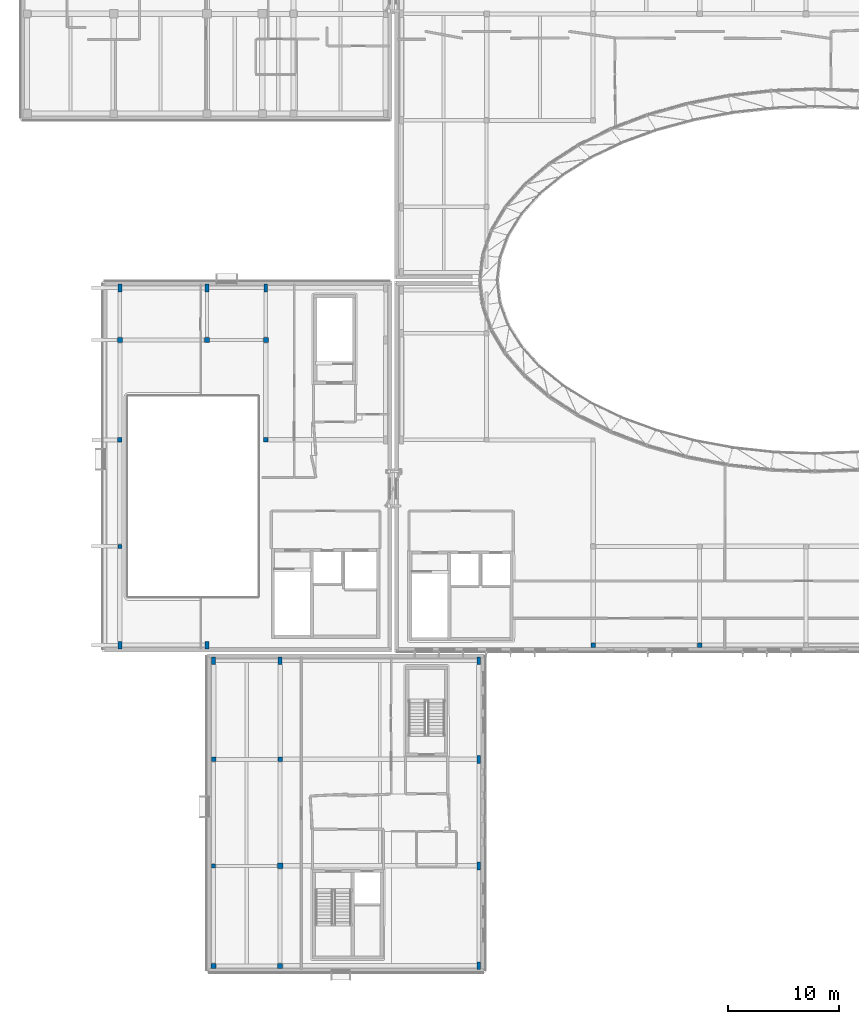
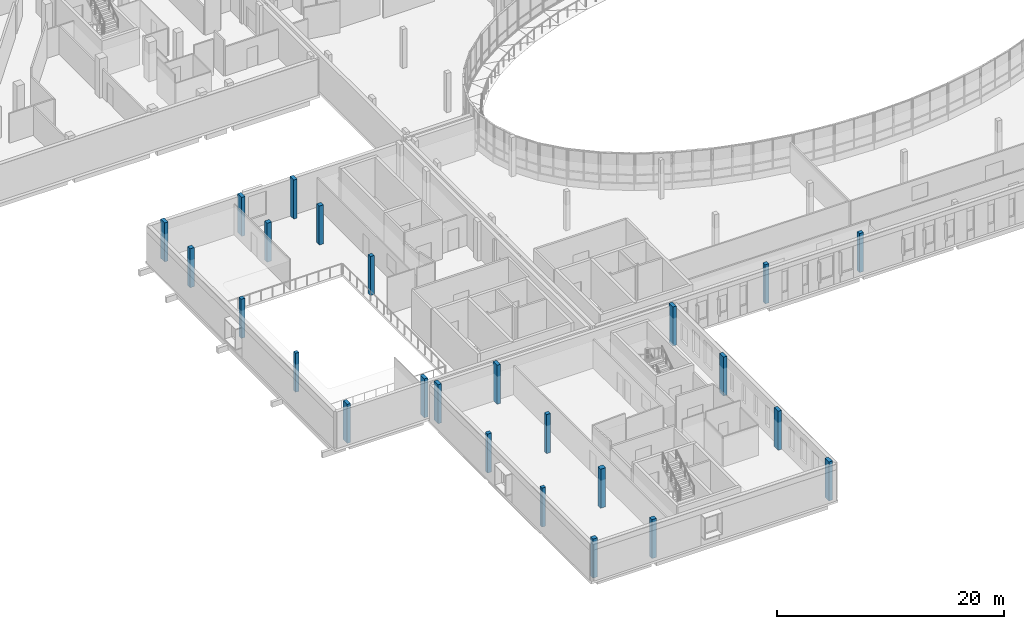
# One storey, part 1 of 73: 25 columns.
"""IFC4 building model written with IfcOpenShell, lengths in metres."""

from ifc_helpers import new_model, si_unit, direction, frame, origin, origin_2d, place, context, subcontext, project, spatial, rectangle, extrude, material, material_profile, profile_set, type_object, element, save


model = new_model("IFC4")

# Units and contexts
model_context = context("Model", 3, precision=1e-05, world=origin(), true_north=direction((0.0, 1.0)))
body_context = subcontext(model_context, "Body", "Model", "MODEL_VIEW")
ifc_project = project(units=[si_unit("LENGTHUNIT", "METRE"), si_unit("AREAUNIT", "SQUARE_METRE"), si_unit("VOLUMEUNIT", "CUBIC_METRE"), si_unit("PLANEANGLEUNIT", "RADIAN"), si_unit("MASSUNIT", "GRAM", prefix="KILO")], contexts=[model_context])

# Site, building, storey
site_placement = place(None, origin())
site = spatial("IfcSite", under=ifc_project, at=site_placement, CompositionType="ELEMENT")
building_placement = place(site_placement, origin())
building = spatial("IfcBuilding", under=site, at=building_placement, Name="Mzevani Central Library", CompositionType="ELEMENT")
storey_placement = place(building_placement, frame((0.0, 0.0, 9.60009765625)))
storey = spatial("IfcBuildingStorey", under=building, at=storey_placement, Name="L02", CompositionType="ELEMENT", Elevation=9.60009765625)

# Columns
ifc_material = material(Name="Concrete C40/50", Category="concrete")
ifc_material_profile_1 = material_profile(ifc_material, rectangle(XDim=0.35009765625, YDim=0.35009765625, at=origin_2d()), Name="RC 350x350")
ifc_profile_set_1 = profile_set([ifc_material_profile_1], Name="Concrete C40/50")
column_type_1 = type_object("IfcColumnType", Name="Column RC 350x350", PredefinedType="COLUMN", material=ifc_profile_set_1)
for number, where, z_axis, x_axis, name in (
    (1, (29.800048828125, 23.199951171875, 0.0), (0.0, 0.0, 1.0), (1.0, 0.0, 0.0), "L02 V4 Column C-01 (168)"),
    (2, (21.35009765625, 52.0, 0.0), (0.0, 0.0, 1.0), (1.0, 0.0, 0.0), "L02 V5 Column C-01 (198)"),
):
    element("IfcColumn", number, at=place(storey_placement, frame(where, z_axis=z_axis, x_axis=x_axis)), inside=storey, type_object=column_type_1, Name=name, PredefinedType="COLUMN", context=body_context, shape_type="SweptSolid", body=[
        extrude(rectangle(XDim=0.35009765625, YDim=0.35009765625, at=origin_2d()), origin(), (0.0, 0.0, 1.0), 4.199951171875),
    ])
ifc_material_profile_2 = material_profile(ifc_material, rectangle(XDim=0.39990234375, YDim=0.39990234375, at=origin_2d()), Name="RC 400x400")
ifc_profile_set_2 = profile_set([ifc_material_profile_2], Name="Concrete C40/50")
column_type_2 = type_object("IfcColumnType", Name="Column RC 400x400", PredefinedType="COLUMN", material=ifc_profile_set_2)
for number, where, z_axis, x_axis, name in (
    (3, (64.0, 43.10009765625, 0.0), (0.0, 0.0, 1.0), (1.0, 0.0, 0.0), "L02 V1 Column C-02 (7)"),
    (4, (73.60009765625, 43.10009765625, 0.0), (0.0, 0.0, 1.0), (1.0, 0.0, 0.0), "L02 V1 Column C-02 (10)"),
    (5, (29.800048828125, 32.800048828125, 0.0), (0.0, 0.0, 1.0), (1.0, 0.0, 0.0), "L02 V4 Column C-02 (169)"),
    (6, (35.800048828125, 32.800048828125, 0.0), (0.0, 0.0, 1.0), (1.0, 0.0, 0.0), "L02 V4 Column C-02 (174)"),
    (7, (21.35009765625, 61.60009765625, 0.0), (0.0, 0.0, 1.0), (1.0, 0.0, 0.0), "L02 V5 Column C-02 (199)"),
    (8, (34.5, 61.60009765625, 0.0), (0.0, 0.0, 1.0), (1.0, 0.0, 0.0), "L02 V5 Column C-02 (205)"),
):
    element("IfcColumn", number, at=place(storey_placement, frame(where, z_axis=z_axis, x_axis=x_axis)), inside=storey, type_object=column_type_2, Name=name, PredefinedType="COLUMN", context=body_context, shape_type="SweptSolid", body=[
        extrude(rectangle(XDim=0.39990234375, YDim=0.39990234375, at=origin_2d()), origin(), (0.0, 0.0, 1.0), 4.199951171875),
    ])
ifc_material_profile_3 = material_profile(ifc_material, rectangle(XDim=0.449951171875, YDim=0.449951171875, at=origin_2d()), Name="RC 450x450")
ifc_profile_set_3 = profile_set([ifc_material_profile_3], Name="Concrete C40/50")
column_type_3 = type_object("IfcColumnType", Name="Column RC 450x450", PredefinedType="COLUMN", material=ifc_profile_set_3)
for number, where, z_axis, x_axis, name in (
    (9, (29.800048828125, 14.199951171875, 0.0), (0.0, 0.0, 1.0), (1.0, 0.0, 0.0), "L02 V4 Column C-03 (167)"),
    (10, (35.800048828125, 14.199951171875, 0.0), (0.0, 0.0, 1.0), (1.0, 0.0, 0.0), "L02 V4 Column C-03 (172)"),
    (11, (21.35009765625, 70.60009765625, 0.0), (0.0, 0.0, 1.0), (1.0, 0.0, 0.0), "L02 V5 Column C-03 (200)"),
    (12, (29.199951171875, 70.60009765625, 0.0), (0.0, 0.0, 1.0), (1.0, 0.0, 0.0), "L02 V5 Column C-03 (203)"),
    (13, (34.5, 70.60009765625, 0.0), (0.0, 0.0, 1.0), (1.0, 0.0, 0.0), "L02 V5 Column C-03 (206)"),
):
    element("IfcColumn", number, at=place(storey_placement, frame(where, z_axis=z_axis, x_axis=x_axis)), inside=storey, type_object=column_type_3, Name=name, PredefinedType="COLUMN", context=body_context, shape_type="SweptSolid", body=[
        extrude(rectangle(XDim=0.449951171875, YDim=0.449951171875, at=origin_2d()), origin(), (0.0, 0.0, 1.0), 4.199951171875),
    ])
ifc_material_profile_4 = material_profile(ifc_material, rectangle(XDim=0.5, YDim=0.5, at=origin_2d()), Name="RC 500x500")
ifc_profile_set_4 = profile_set([ifc_material_profile_4], Name="Concrete C40/50")
column_type_4 = type_object("IfcColumnType", Name="Column RC 500x500", PredefinedType="COLUMN", material=ifc_profile_set_4)
column_placement = place(storey_placement, frame((35.800048828125, 23.199951171875, 0.0), z_axis=(0.0, 0.0, 1.0), x_axis=(1.0, 0.0, 0.0)))
element("IfcColumn", 14, at=column_placement, inside=storey, type_object=column_type_4, Name="L02 V4 Column C-04 (173)", PredefinedType="COLUMN", context=body_context, shape_type="SweptSolid", body=[
    extrude(rectangle(XDim=0.5, YDim=0.5, at=origin_2d()), origin(), (0.0, 0.0, 1.0), 4.199951171875),
])
ifc_material_profile_5 = material_profile(ifc_material, rectangle(XDim=0.35009765625, YDim=0.699951171875, at=origin_2d()), Name="RC 350x700")
ifc_profile_set_5 = profile_set([ifc_material_profile_5], Name="Concrete C40/50")
column_type_5 = type_object("IfcColumnType", Name="Joint Twin Column RC 350x700", PredefinedType="COLUMN", material=ifc_profile_set_5)
for number, where, z_axis, x_axis, name in (
    (15, (29.800048828125, 41.699951171875, 0.0), (0.0, 0.0, 1.0), (1.0, 0.0, 0.0), "L02 V4 Column C-18 (170)"),
    (16, (35.800048828125, 41.699951171875, 0.0), (0.0, 0.0, 1.0), (1.0, 0.0, 0.0), "L02 V4 Column C-18 (175)"),
    (17, (53.699951171875, 14.199951171875, 0.0), (0.0, 0.0, 1.0), (1.0, 0.0, 0.0), "L02 V4 Column C-18 (178)"),
    (18, (53.699951171875, 23.199951171875, 0.0), (0.0, 0.0, 1.0), (1.0, 0.0, 0.0), "L02 V4 Column C-18 (179)"),
    (19, (53.699951171875, 32.800048828125, 0.0), (0.0, 0.0, 1.0), (1.0, 0.0, 0.0), "L02 V4 Column C-18 (180)"),
    (20, (53.699951171875, 41.699951171875, 0.0), (0.0, 0.0, 1.0), (1.0, 0.0, 0.0), "L02 V4 Column C-18 (181)"),
    (21, (21.35009765625, 43.10009765625, 0.0), (0.0, 0.0, 1.0), (1.0, 0.0, 0.0), "L02 V5 Column C-18 (197)"),
    (22, (21.35009765625, 75.300048828125, 0.0), (0.0, 0.0, 1.0), (1.0, 0.0, 0.0), "L02 V5 Column C-18 (201)"),
    (23, (29.199951171875, 43.10009765625, 0.0), (0.0, 0.0, 1.0), (1.0, 0.0, 0.0), "L02 V5 Column C-18 (202)"),
    (24, (29.199951171875, 75.300048828125, 0.0), (0.0, 0.0, 1.0), (1.0, 0.0, 0.0), "L02 V5 Column C-18 (204)"),
    (25, (34.5, 75.300048828125, 0.0), (0.0, 0.0, 1.0), (1.0, 0.0, 0.0), "L02 V5 Column C-18 (207)"),
):
    element("IfcColumn", number, at=place(storey_placement, frame(where, z_axis=z_axis, x_axis=x_axis)), inside=storey, type_object=column_type_5, Name=name, PredefinedType="COLUMN", context=body_context, shape_type="SweptSolid", body=[
        extrude(rectangle(XDim=0.35009765625, YDim=0.699951171875, at=origin_2d()), origin(), (0.0, 0.0, 1.0), 4.199951171875),
    ])

save(model, "model.ifc")
